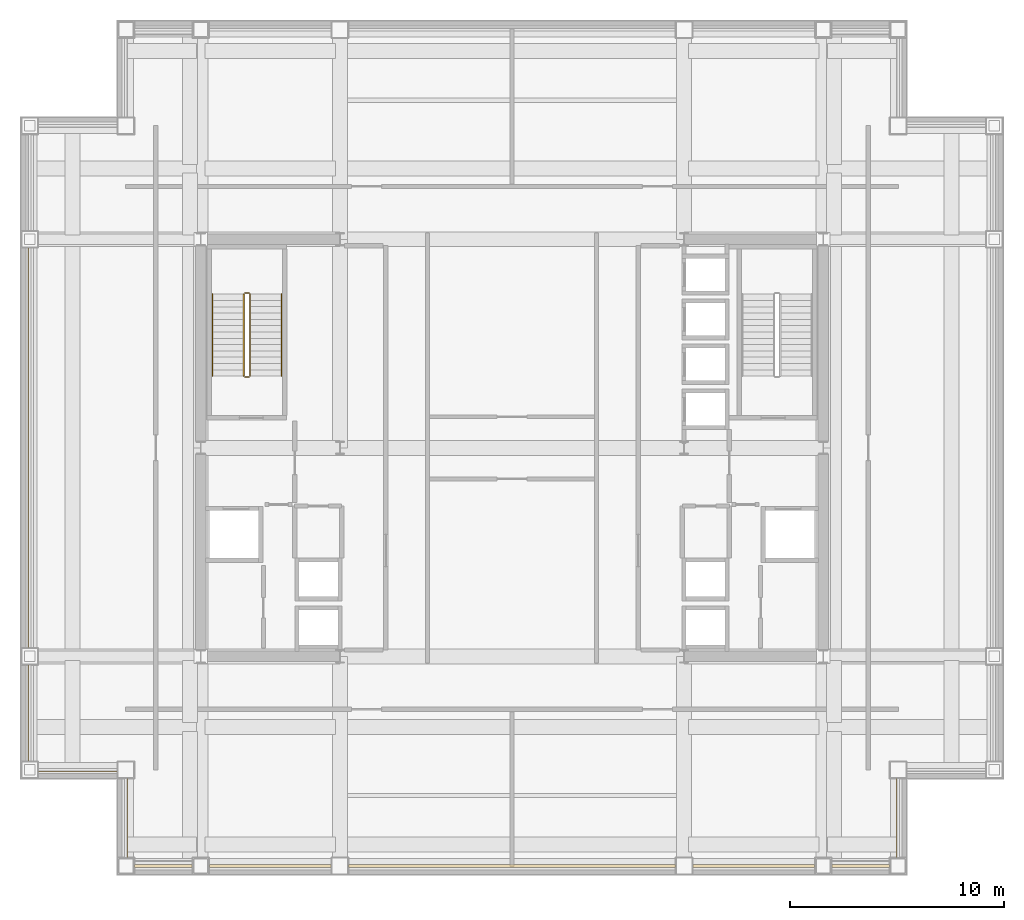
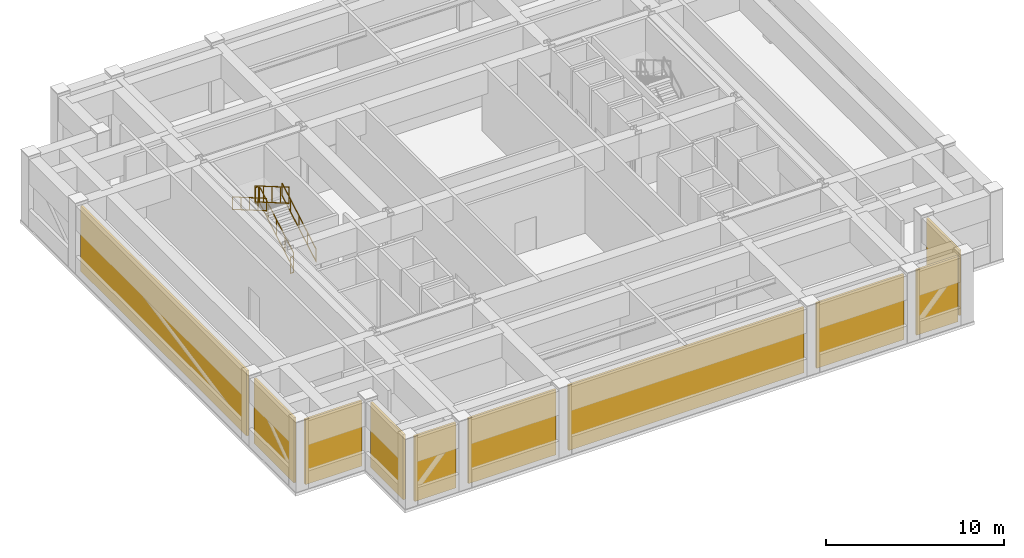
# One storey, part 7 of 9: 10 shading devices, 6 railings.
"""IFC4 building model written with IfcOpenShell, lengths in metres."""

from ifc_helpers import new_model, si_unit, direction, frame, origin, origin_2d, place, context, subcontext, project, spatial, rectangle, extrude, material, layer, layer_set, type_object, element, save


model = new_model("IFC4")

# Units and contexts
model_context = context("Model", 3, precision=1e-05, world=origin(), true_north=direction((0.0, 1.0)))
body_context = subcontext(model_context, "Body", "Model", "MODEL_VIEW")
ifc_project = project(units=[si_unit("LENGTHUNIT", "METRE"), si_unit("AREAUNIT", "SQUARE_METRE"), si_unit("VOLUMEUNIT", "CUBIC_METRE"), si_unit("PLANEANGLEUNIT", "RADIAN"), si_unit("MASSUNIT", "GRAM", prefix="KILO")], contexts=[model_context])

# Site, building, storey
site_placement = place(None, origin())
site = spatial("IfcSite", under=ifc_project, at=site_placement, CompositionType="ELEMENT")
building_placement = place(site_placement, origin())
building = spatial("IfcBuilding", under=site, at=building_placement, Name="Brelmoor Portico Tower", CompositionType="ELEMENT")
storey_placement = place(building_placement, frame((0.0, 0.0, 145.800048828125)))
storey = spatial("IfcBuildingStorey", under=building, at=storey_placement, Name="L38", CompositionType="ELEMENT", Elevation=145.800048828125)

# Railings
ifc_material_1 = material(Name="Painted Tubular Steel Q235B", Category="steel")
railing_type_1 = type_object("IfcRailingType", Name="RL-STAIR-GUARD", PredefinedType="GUARDRAIL", material=ifc_material_1)
railing_1_placement = place(storey_placement, frame((-12.239990234375, 3.35009765625, 0.17138671875)))
element("IfcRailing", 1, at=railing_1_placement, inside=storey, type_object=railing_type_1, Name="L38 ST-W stair guard 1", PredefinedType="GUARDRAIL", context=body_context, shape_type="SweptSolid", body=[
    extrude(rectangle(XDim=0.048095703125, YDim=0.048095703125, at=origin_2d()), frame((0.0, 0.0, 1.1259765625), z_axis=(0.0, 0.86461618451, 0.502432934314), x_axis=(-1.0, 0.0, 0.0)), (0.0, 0.0, 1.0), 4.435546875),
    extrude(rectangle(XDim=0.048095703125, YDim=0.048095703125, at=origin_2d()), frame((0.0, 0.0, 0.02392578125), z_axis=(0.0, 0.86461618451, 0.502432934314), x_axis=(-1.0, 0.0, 0.0)), (0.0, 0.0, 1.0), 4.435546875),
    extrude(rectangle(XDim=0.0419921875, YDim=0.0419921875, at=origin_2d()), origin(), (0.0, 0.0, 1.0), 1.101806640625),
    extrude(rectangle(XDim=0.0419921875, YDim=0.0419921875, at=origin_2d()), frame((0.0, 0.958740234375, 0.55712890625)), (0.0, 0.0, 1.0), 1.101806640625),
    extrude(rectangle(XDim=0.0419921875, YDim=0.0419921875, at=origin_2d()), frame((0.0, 1.91748046875, 1.1142578125)), (0.0, 0.0, 1.0), 1.101806640625),
    extrude(rectangle(XDim=0.0419921875, YDim=0.0419921875, at=origin_2d()), frame((0.0, 2.876220703125, 1.67138671875)), (0.0, 0.0, 1.0), 1.101806640625),
    extrude(rectangle(XDim=0.0419921875, YDim=0.0419921875, at=origin_2d()), frame((0.0, 3.8349609375, 2.228515625)), (0.0, 0.0, 1.0), 1.101806640625),
])
railing_2_placement = place(storey_placement, frame((-12.2900390625, 7.235107421875, 2.39990234375)))
element("IfcRailing", 2, at=railing_2_placement, inside=storey, type_object=railing_type_1, Name="L38 ST-W stair guard 2", PredefinedType="GUARDRAIL", context=body_context, shape_type="SweptSolid", body=[
    extrude(rectangle(XDim=0.048095703125, YDim=0.048095703125, at=origin_2d()), frame((0.0, 0.0, 1.1259765625), z_axis=(-1.0, 0.0, 0.0), x_axis=(0.0, -1.0, 0.0)), (0.0, 0.0, 1.0), 0.199951171875),
    extrude(rectangle(XDim=0.048095703125, YDim=0.048095703125, at=origin_2d()), frame((0.0, 0.0, 0.02392578125), z_axis=(-1.0, 0.0, 0.0), x_axis=(0.0, -1.0, 0.0)), (0.0, 0.0, 1.0), 0.199951171875),
    extrude(rectangle(XDim=0.0419921875, YDim=0.0419921875, at=origin_2d()), origin(), (0.0, 0.0, 1.0), 1.101806640625),
    extrude(rectangle(XDim=0.0419921875, YDim=0.0419921875, at=origin_2d()), frame((-0.199951171875, 0.0, 0.0)), (0.0, 0.0, 1.0), 1.101806640625),
])
railing_3_placement = place(storey_placement, frame((-12.5400390625, 7.18505859375, 2.5712890625)))
element("IfcRailing", 3, at=railing_3_placement, inside=storey, type_object=railing_type_1, Name="L38 ST-W stair guard 3", PredefinedType="GUARDRAIL", context=body_context, shape_type="SweptSolid", body=[
    extrude(rectangle(XDim=0.048095703125, YDim=0.048095703125, at=origin_2d()), frame((0.0, 0.0, 1.1259765625), z_axis=(0.0, -0.864592272851, 0.502474080651), x_axis=(1.0, 0.0, 0.0)), (0.0, 0.0, 1.0), 4.435546875),
    extrude(rectangle(XDim=0.048095703125, YDim=0.048095703125, at=origin_2d()), frame((0.0, 0.0, 0.02392578125), z_axis=(0.0, -0.864592272851, 0.502474080651), x_axis=(1.0, 0.0, 0.0)), (0.0, 0.0, 1.0), 4.435546875),
    extrude(rectangle(XDim=0.0419921875, YDim=0.0419921875, at=origin_2d()), origin(), (0.0, 0.0, 1.0), 1.101806640625),
    extrude(rectangle(XDim=0.0419921875, YDim=0.0419921875, at=origin_2d()), frame((0.0, -0.958740234375, 0.55712890625)), (0.0, 0.0, 1.0), 1.101806640625),
    extrude(rectangle(XDim=0.0419921875, YDim=0.0419921875, at=origin_2d()), frame((0.0, -1.91748046875, 1.1142578125)), (0.0, 0.0, 1.0), 1.101806640625),
    extrude(rectangle(XDim=0.0419921875, YDim=0.0419921875, at=origin_2d()), frame((0.0, -2.876220703125, 1.671630859375)), (0.0, 0.0, 1.0), 1.101806640625),
    extrude(rectangle(XDim=0.0419921875, YDim=0.0419921875, at=origin_2d()), frame((0.0, -3.8349609375, 2.228759765625)), (0.0, 0.0, 1.0), 1.101806640625),
])
railing_4_placement = place(storey_placement, frame((-12.2900390625, 3.300048828125, 0.0)))
element("IfcRailing", 4, at=railing_4_placement, inside=storey, type_object=railing_type_1, Name="L38 ST-W stair guard 4", PredefinedType="GUARDRAIL", context=body_context, shape_type="SweptSolid", body=[
    extrude(rectangle(XDim=0.048095703125, YDim=0.048095703125, at=origin_2d()), frame((0.0, 0.0, 1.1259765625), z_axis=(-1.0, 0.0, 0.0), x_axis=(0.0, -1.0, 0.0)), (0.0, 0.0, 1.0), 0.199951171875),
    extrude(rectangle(XDim=0.048095703125, YDim=0.048095703125, at=origin_2d()), frame((0.0, 0.0, 0.02392578125), z_axis=(-1.0, 0.0, 0.0), x_axis=(0.0, -1.0, 0.0)), (0.0, 0.0, 1.0), 0.199951171875),
    extrude(rectangle(XDim=0.0419921875, YDim=0.0419921875, at=origin_2d()), origin(), (0.0, 0.0, 1.0), 1.101806640625),
    extrude(rectangle(XDim=0.0419921875, YDim=0.0419921875, at=origin_2d()), frame((-0.199951171875, 0.0, 0.0)), (0.0, 0.0, 1.0), 1.101806640625),
])
ifc_material_2 = material(Name="Brushed Stainless Steel 304", Category="steel")
railing_type_2 = type_object("IfcRailingType", Name="RL-STAIR-HANDRAIL", PredefinedType="HANDRAIL", material=ifc_material_2)
railing_5_placement = place(storey_placement, frame((-10.780029296875, 3.35009765625, 0.17138671875)))
element("IfcRailing", 5, at=railing_5_placement, inside=storey, type_object=railing_type_2, Name="L38 ST-W stair handrail 1", PredefinedType="HANDRAIL", context=body_context, shape_type="SweptSolid", body=[
    extrude(rectangle(XDim=0.048095703125, YDim=0.048095703125, at=origin_2d()), frame((0.0, 0.0, 0.8759765625), z_axis=(0.0, 0.86461618451, 0.502432934314), x_axis=(-1.0, 0.0, 0.0)), (0.0, 0.0, 1.0), 4.435546875),
    extrude(rectangle(XDim=0.048095703125, YDim=0.048095703125, at=origin_2d()), frame((0.0, 0.0, 0.02392578125), z_axis=(0.0, 0.86461618451, 0.502432934314), x_axis=(-1.0, 0.0, 0.0)), (0.0, 0.0, 1.0), 4.435546875),
    extrude(rectangle(XDim=0.0419921875, YDim=0.0419921875, at=origin_2d()), origin(), (0.0, 0.0, 1.0), 0.851806640625),
    extrude(rectangle(XDim=0.0419921875, YDim=0.0419921875, at=origin_2d()), frame((0.0, 0.958740234375, 0.55712890625)), (0.0, 0.0, 1.0), 0.851806640625),
    extrude(rectangle(XDim=0.0419921875, YDim=0.0419921875, at=origin_2d()), frame((0.0, 1.91748046875, 1.1142578125)), (0.0, 0.0, 1.0), 0.851806640625),
    extrude(rectangle(XDim=0.0419921875, YDim=0.0419921875, at=origin_2d()), frame((0.0, 2.876220703125, 1.67138671875)), (0.0, 0.0, 1.0), 0.851806640625),
    extrude(rectangle(XDim=0.0419921875, YDim=0.0419921875, at=origin_2d()), frame((0.0, 3.8349609375, 2.228515625)), (0.0, 0.0, 1.0), 0.851806640625),
])
railing_6_placement = place(storey_placement, frame((-14.0, 7.18505859375, 2.5712890625)))
element("IfcRailing", 6, at=railing_6_placement, inside=storey, type_object=railing_type_2, Name="L38 ST-W stair handrail 2", PredefinedType="HANDRAIL", context=body_context, shape_type="SweptSolid", body=[
    extrude(rectangle(XDim=0.048095703125, YDim=0.048095703125, at=origin_2d()), frame((0.0, 0.0, 0.8759765625), z_axis=(0.0, -0.864592272851, 0.502474080651), x_axis=(1.0, 0.0, 0.0)), (0.0, 0.0, 1.0), 4.435546875),
    extrude(rectangle(XDim=0.048095703125, YDim=0.048095703125, at=origin_2d()), frame((0.0, 0.0, 0.02392578125), z_axis=(0.0, -0.864592272851, 0.502474080651), x_axis=(1.0, 0.0, 0.0)), (0.0, 0.0, 1.0), 4.435546875),
    extrude(rectangle(XDim=0.0419921875, YDim=0.0419921875, at=origin_2d()), origin(), (0.0, 0.0, 1.0), 0.851806640625),
    extrude(rectangle(XDim=0.0419921875, YDim=0.0419921875, at=origin_2d()), frame((0.0, -0.958740234375, 0.55712890625)), (0.0, 0.0, 1.0), 0.851806640625),
    extrude(rectangle(XDim=0.0419921875, YDim=0.0419921875, at=origin_2d()), frame((0.0, -1.91748046875, 1.1142578125)), (0.0, 0.0, 1.0), 0.851806640625),
    extrude(rectangle(XDim=0.0419921875, YDim=0.0419921875, at=origin_2d()), frame((0.0, -2.876220703125, 1.671630859375)), (0.0, 0.0, 1.0), 0.851806640625),
    extrude(rectangle(XDim=0.0419921875, YDim=0.0419921875, at=origin_2d()), frame((0.0, -3.8349609375, 2.228759765625)), (0.0, 0.0, 1.0), 0.851806640625),
])

# Shading devices
ifc_material_3 = material(Name="Extruded Aluminium Acoustic Weather Louvre", Category="aluminium")
ifc_layer = layer(ifc_material_3, 0.139892578125)
ifc_layer_set = layer_set([ifc_layer], Name="Extruded Aluminium Acoustic Weather Louvre")
shading_device_type = type_object("IfcShadingDeviceType", Name="SD-PLANT-LOUVRE", PredefinedType="USERDEFINED", material=ifc_layer_set)
shading_device_1_placement = place(storey_placement, frame((-16.300048828125, -19.550048828125, 0.06005859375), z_axis=(0.0, 0.0, 1.0), x_axis=(1.0, 0.0, 0.0)))
element("IfcShadingDevice", 7, at=shading_device_1_placement, inside=storey, type_object=shading_device_type, Name="L38 Acoustic Plant Louvre S-1", ObjectType="LOUVRE", PredefinedType="USERDEFINED", context=body_context, shape_type="SweptSolid", body=[
    extrude(rectangle(XDim=2.679931640625, YDim=0.139892578125, at=origin_2d()), origin(), (0.0, 0.0, 1.0), 4.47998046875),
])
shading_device_2_placement = place(storey_placement, frame((-11.300048828125, -19.550048828125, 0.06005859375), z_axis=(0.0, 0.0, 1.0), x_axis=(1.0, 0.0, 0.0)))
element("IfcShadingDevice", 8, at=shading_device_2_placement, inside=storey, type_object=shading_device_type, Name="L38 Acoustic Plant Louvre S-2", ObjectType="LOUVRE", PredefinedType="USERDEFINED", context=body_context, shape_type="SweptSolid", body=[
    extrude(rectangle(XDim=5.679931640625, YDim=0.139892578125, at=origin_2d()), origin(), (0.0, 0.0, 1.0), 4.47998046875),
])
shading_device_3_placement = place(storey_placement, frame((0.0, -19.550048828125, 0.06005859375), z_axis=(0.0, 0.0, 1.0), x_axis=(1.0, 0.0, 0.0)))
element("IfcShadingDevice", 9, at=shading_device_3_placement, inside=storey, type_object=shading_device_type, Name="L38 Acoustic Plant Louvre S-3", ObjectType="LOUVRE", PredefinedType="USERDEFINED", context=body_context, shape_type="SweptSolid", body=[
    extrude(rectangle(XDim=15.280029296875, YDim=0.139892578125, at=origin_2d()), origin(), (0.0, 0.0, 1.0), 4.47998046875),
])
shading_device_4_placement = place(storey_placement, frame((11.300048828125, -19.550048828125, 0.06005859375), z_axis=(0.0, 0.0, 1.0), x_axis=(1.0, 0.0, 0.0)))
element("IfcShadingDevice", 10, at=shading_device_4_placement, inside=storey, type_object=shading_device_type, Name="L38 Acoustic Plant Louvre S-4", ObjectType="LOUVRE", PredefinedType="USERDEFINED", context=body_context, shape_type="SweptSolid", body=[
    extrude(rectangle(XDim=5.679931640625, YDim=0.139892578125, at=origin_2d()), origin(), (0.0, 0.0, 1.0), 4.47998046875),
])
shading_device_5_placement = place(storey_placement, frame((16.300048828125, -19.550048828125, 0.06005859375), z_axis=(0.0, 0.0, 1.0), x_axis=(1.0, 0.0, 0.0)))
element("IfcShadingDevice", 11, at=shading_device_5_placement, inside=storey, type_object=shading_device_type, Name="L38 Acoustic Plant Louvre S-5", ObjectType="LOUVRE", PredefinedType="USERDEFINED", context=body_context, shape_type="SweptSolid", body=[
    extrude(rectangle(XDim=2.679931640625, YDim=0.139892578125, at=origin_2d()), origin(), (0.0, 0.0, 1.0), 4.47998046875),
])
shading_device_6_placement = place(storey_placement, frame((-22.550048828125, -12.39990234375, 0.06005859375), z_axis=(0.0, 0.0, 1.0), x_axis=(0.0, 1.0, 0.0)))
element("IfcShadingDevice", 12, at=shading_device_6_placement, inside=storey, type_object=shading_device_type, Name="L38 Acoustic Plant Louvre W-1", ObjectType="LOUVRE", PredefinedType="USERDEFINED", context=body_context, shape_type="SweptSolid", body=[
    extrude(rectangle(XDim=4.47998046875, YDim=0.139892578125, at=origin_2d()), origin(), (0.0, 0.0, 1.0), 4.47998046875),
])
shading_device_7_placement = place(storey_placement, frame((-22.550048828125, 0.0, 0.06005859375), z_axis=(0.0, 0.0, 1.0), x_axis=(0.0, 1.0, 0.0)))
element("IfcShadingDevice", 13, at=shading_device_7_placement, inside=storey, type_object=shading_device_type, Name="L38 Acoustic Plant Louvre W-2", ObjectType="LOUVRE", PredefinedType="USERDEFINED", context=body_context, shape_type="SweptSolid", body=[
    extrude(rectangle(XDim=18.679931640625, YDim=0.139892578125, at=origin_2d()), origin(), (0.0, 0.0, 1.0), 4.47998046875),
])
for number, where, z_axis, x_axis, name in (
    (14, (-18.050048828125, -17.300048828125, 0.06005859375), (0.0, 0.0, 1.0), (0.0, 1.0, 0.0), "L38 Acoustic Plant Louvre SW1-1"),
    (15, (-20.300048828125, -15.050048828125, 0.06005859375), (0.0, 0.0, 1.0), (1.0, 0.0, 0.0), "L38 Acoustic Plant Louvre SW2-1"),
    (16, (18.050048828125, -17.300048828125, 0.06005859375), (0.0, 0.0, 1.0), (0.0, 1.0, 0.0), "L38 Acoustic Plant Louvre SE1-1"),
):
    element("IfcShadingDevice", number, at=place(storey_placement, frame(where, z_axis=z_axis, x_axis=x_axis)), inside=storey, type_object=shading_device_type, Name=name, ObjectType="LOUVRE", PredefinedType="USERDEFINED", context=body_context, shape_type="SweptSolid", body=[
        extrude(rectangle(XDim=3.679931640625, YDim=0.139892578125, at=origin_2d()), origin(), (0.0, 0.0, 1.0), 4.47998046875),
    ])

save(model, "model.ifc")
